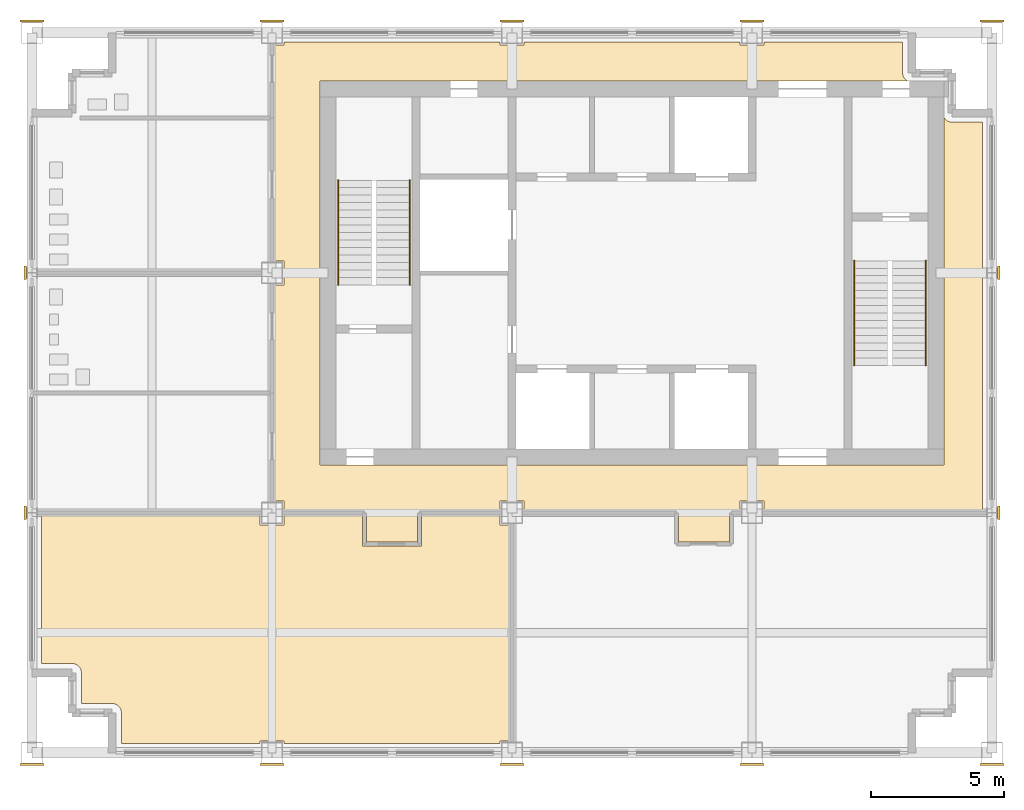
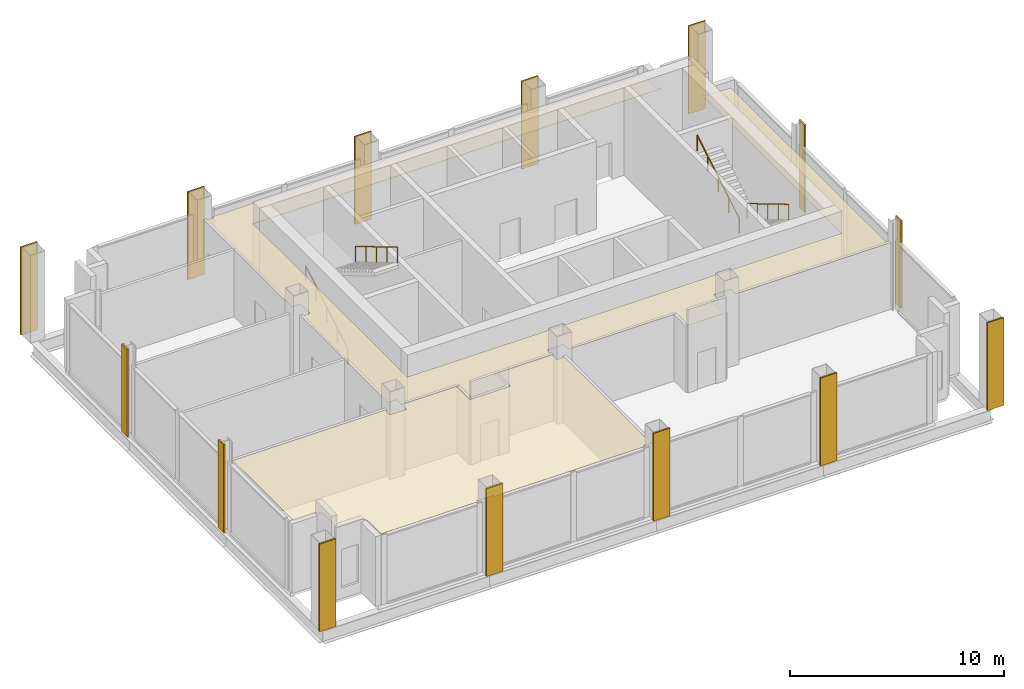
# One storey, part 6 of 7: 16 coverings, 4 railings.
"""IFC4 building model written with IfcOpenShell, lengths in metres."""

import ifcopenshell
import ifcopenshell.guid

model = None  # the IFC model being written
_history = None  # IfcOwnerHistory: only IFC2X3 demands one
_inside = {}  # id of a spatial element -> (the spatial element, [elements in it])
_under = {}  # id of a project, library or spatial element -> (it, [spatial elements below it])
_declared = {}  # id of a project -> (the project, [libraries it declares])
_typed = {}  # id of a type object -> (the type object, [elements of that type])
_made_of = {}  # id of a material, layer set ... -> (it, [elements and type objects made of it])


def new_model(schema):
    """Start an empty IFC model of exactly this schema.

    Asked for "IFC4X3", IfcOpenShell would pick the latest addendum, in which some entities
    have other attributes; the version numbers below select the first issue.
    IFC2X3 requires an IfcOwnerHistory on every rooted entity: one is made here for all.
    """
    global model, _history
    if schema == "IFC4X3":
        model = ifcopenshell.file(schema_version=(4, 3, 0, 0))
    else:
        model = ifcopenshell.file(schema=schema)
    _inside.clear()
    _under.clear()
    _declared.clear()
    _typed.clear()
    _made_of.clear()
    _history = None
    if model.schema == "IFC2X3":
        org = make("IfcOrganization", Name="unknown")
        user = make(
            "IfcPersonAndOrganization",
            ThePerson=make("IfcPerson", FamilyName="unknown"),
            TheOrganization=org,
        )
        app = make(
            "IfcApplication",
            ApplicationDeveloper=org,
            Version="unknown",
            ApplicationFullName="unknown",
            ApplicationIdentifier="unknown",
        )
        _history = make(
            "IfcOwnerHistory",
            OwningUser=user,
            OwningApplication=app,
            ChangeAction="ADDED",
            CreationDate=0,
        )
    return model


def make(cls, **values):
    """One entity of the class cls with the attributes given. An attribute that is None is left unset."""
    return model.create_entity(
        cls, **{name: value for name, value in values.items() if value is not None}
    )


def rooted(cls, **values):
    """An entity with a GlobalId (a new one), such as an element, a storey or a relation."""
    return make(cls, GlobalId=ifcopenshell.guid.new(), OwnerHistory=_history, **values)


def si_unit(unit_type, name, prefix=None):
    """IfcSIUnit, for example si_unit("LENGTHUNIT", "METRE", prefix="MILLI")."""
    return make("IfcSIUnit", UnitType=unit_type, Prefix=prefix, Name=name)


def assignment(units):
    """IfcUnitAssignment: the units of a project."""
    return None if units is None else make("IfcUnitAssignment", Units=units)


def point(xyz):
    """IfcCartesianPoint."""
    return None if xyz is None else make("IfcCartesianPoint", Coordinates=xyz)


def direction(xyz):
    """IfcDirection."""
    return None if xyz is None else make("IfcDirection", DirectionRatios=xyz)


def frame(location, z_axis=None, x_axis=None):
    """IfcAxis2Placement3D, a coordinate frame: its origin and axes. An axis left out is left unset."""
    return make(
        "IfcAxis2Placement3D",
        Location=point(location),
        Axis=direction(z_axis),
        RefDirection=direction(x_axis),
    )


def frame_2d(location, x_axis=None):
    """IfcAxis2Placement2D, a coordinate frame in the plane: its origin and x axis."""
    return make(
        "IfcAxis2Placement2D", Location=point(location), RefDirection=direction(x_axis)
    )


def origin():
    """The frame at (0, 0, 0) with its axes left unset."""
    return frame((0.0, 0.0, 0.0))


def origin_2d():
    """The frame at (0, 0) in the plane with its x axis left unset."""
    return frame_2d((0.0, 0.0))


def place(relative_to, where):
    """IfcLocalPlacement: puts the frame where relative to a parent placement (None: the world)."""
    return make(
        "IfcLocalPlacement", PlacementRelTo=relative_to, RelativePlacement=where
    )


def context(
    kind, dimensions, precision=None, world=None, true_north=None, identifier=None
):
    """IfcGeometricRepresentationContext, for example the 3D "Model" context."""
    return make(
        "IfcGeometricRepresentationContext",
        ContextIdentifier=identifier,
        ContextType=kind,
        CoordinateSpaceDimension=dimensions,
        Precision=precision,
        WorldCoordinateSystem=world,
        TrueNorth=true_north,
    )


def subcontext(parent, identifier, kind, view, scale=None):
    """IfcGeometricRepresentationSubContext, for example "Body" below "Model"."""
    return make(
        "IfcGeometricRepresentationSubContext",
        ContextIdentifier=identifier,
        ContextType=kind,
        ParentContext=parent,
        TargetScale=scale,
        TargetView=view,
    )


def project(units=None, contexts=None):
    """IfcProject with its units and contexts."""
    return rooted(
        "IfcProject",
        Name="project",
        RepresentationContexts=contexts,
        UnitsInContext=assignment(units),
    )


def spatial(cls, under=None, at=None, **own):
    """A site, building, storey or space (cls), placed at a placement, below another one or the project."""
    s = rooted(cls, ObjectPlacement=at, **own)
    if under is not None:
        _under.setdefault(under.id(), (under, []))[1].append(s)
    return s


def polyline(points):
    """IfcPolyline through the points."""
    return make("IfcPolyline", Points=[point(p) for p in points])


def profile(cls, at=None, kind="AREA", **sizes):
    """A parametric profile (cls). Its sizes go by their IFC names, for example OverallWidth=200.0."""
    return make(cls, ProfileType=kind, Position=at, **sizes)


def rectangle(**sizes):
    """IfcRectangleProfileDef."""
    return profile("IfcRectangleProfileDef", **sizes)


def circle(**sizes):
    """IfcCircleProfileDef."""
    return profile("IfcCircleProfileDef", **sizes)


def outline(outer, holes=None, kind="AREA"):
    """IfcArbitraryClosedProfileDef: a profile drawn as a closed curve; with holes, ...WithVoids."""
    if holes is None:
        return make("IfcArbitraryClosedProfileDef", ProfileType=kind, OuterCurve=outer)
    return make(
        "IfcArbitraryProfileDefWithVoids",
        ProfileType=kind,
        OuterCurve=outer,
        InnerCurves=holes,
    )


def extrude(swept, where, along, depth):
    """IfcExtrudedAreaSolid: the profile swept, set in the frame where, extruded along a direction by depth."""
    return make(
        "IfcExtrudedAreaSolid",
        SweptArea=swept,
        Position=where,
        ExtrudedDirection=direction(along),
        Depth=depth,
    )


def shape(context_of_items, identifier, shape_type, items):
    """IfcShapeRepresentation: the items that make up one representation, for example the "Body"."""
    return make(
        "IfcShapeRepresentation",
        ContextOfItems=context_of_items,
        RepresentationIdentifier=identifier,
        RepresentationType=shape_type,
        Items=items,
    )


def material(Name=None, Category=None):
    """IfcMaterial."""
    return make("IfcMaterial", Name=Name, Category=Category)


def layer(
    of_material, thickness, ventilated=None, Name=None, Category=None, Priority=None
):
    """IfcMaterialLayer: one layer of a wall or slab, of a material (None: an air gap)."""
    return make(
        "IfcMaterialLayer",
        Material=of_material,
        LayerThickness=thickness,
        IsVentilated=ventilated,
        Name=Name,
        Category=Category,
        Priority=Priority,
    )


def layer_set(layers, Name=None):
    """IfcMaterialLayerSet."""
    return make("IfcMaterialLayerSet", MaterialLayers=layers, LayerSetName=Name)


def made_of(thing, what):
    """Note that an element or type object is made of a material, layer set ...; save() writes the relation."""
    if what is not None:
        _made_of.setdefault(what.id(), (what, []))[1].append(thing)
    return thing


def type_object(cls, material=None, **own):
    """A type object (cls), such as IfcWallType, which elements share."""
    return made_of(rooted(cls, **own), material)


def element(
    cls,
    number,
    at=None,
    inside=None,
    cuts=None,
    type_object=None,
    material=None,
    context=None,
    identifier="Body",
    shape_type=None,
    held_by="IfcProductDefinitionShape",
    body=None,
    shapes=None,
    **own,
):
    """One element of the class cls, such as IfcWall. Its Tag is "e" and its number.

    at: its placement. inside: the storey or other place that contains it. cuts: it is an
    opening in that element (IfcRelVoidsElement). A single representation is given by context,
    identifier, shape_type and body (its items); several are given by shapes. held_by: the class
    of the entity that holds the representations. save() writes the other relations.
    """
    e = rooted(cls, Tag="e%d" % number, ObjectPlacement=at, **own)
    if body is not None:
        shapes = [shape(context, identifier, shape_type, body)]
    if shapes is not None:
        e.Representation = make(held_by, Representations=shapes)
    if inside is not None:
        _inside.setdefault(inside.id(), (inside, []))[1].append(e)
    if cuts is not None:
        rooted(
            "IfcRelVoidsElement", RelatingBuildingElement=cuts, RelatedOpeningElement=e
        )
    if type_object is not None:
        _typed.setdefault(type_object.id(), (type_object, []))[1].append(e)
    return made_of(e, material)


def aggregate(whole, parts):
    """IfcRelAggregates: a whole, such as a stair, and the parts it consists of."""
    return rooted("IfcRelAggregates", RelatingObject=whole, RelatedObjects=parts)


def save(model, path):
    """Write the relations noted so far, then the file.

    IfcRelAggregates (storeys below a building ...), IfcRelContainedInSpatialStructure (elements
    in a storey), IfcRelDefinesByType, IfcRelAssociatesMaterial and IfcRelDeclares: one each for
    every whole, place, type object, material and project.
    """
    for whole, parts in _under.values():
        aggregate(whole, parts)
    for where, things in _inside.values():
        rooted(
            "IfcRelContainedInSpatialStructure",
            RelatedElements=things,
            RelatingStructure=where,
        )
    for kind, things in _typed.values():
        rooted("IfcRelDefinesByType", RelatedObjects=things, RelatingType=kind)
    for what, things in _made_of.values():
        rooted("IfcRelAssociatesMaterial", RelatedObjects=things, RelatingMaterial=what)
    for by, libraries in _declared.values():
        rooted("IfcRelDeclares", RelatingContext=by, RelatedDefinitions=libraries)
    model.write(path)


model = new_model("IFC4")

# Units and contexts
model_context = context("Model", 3, precision=1e-05, world=origin(), true_north=direction((0.0, 1.0)))
body_context = subcontext(model_context, "Body", "Model", "MODEL_VIEW")
ifc_project = project(units=[si_unit("LENGTHUNIT", "METRE"), si_unit("AREAUNIT", "SQUARE_METRE"), si_unit("VOLUMEUNIT", "CUBIC_METRE"), si_unit("PLANEANGLEUNIT", "RADIAN"), si_unit("MASSUNIT", "GRAM", prefix="KILO")], contexts=[model_context])

# Site, building, storey
site_placement = place(None, origin())
site = spatial("IfcSite", under=ifc_project, at=site_placement, CompositionType="ELEMENT")
building_placement = place(site_placement, origin())
building = spatial("IfcBuilding", under=site, at=building_placement, Name="Loomwork Tower", CompositionType="ELEMENT")
storey_placement = place(building_placement, frame((0.0, 0.0, 269.800048828125)))
storey = spatial("IfcBuildingStorey", under=building, at=storey_placement, Name="L74", CompositionType="ELEMENT", Elevation=269.800048828125)

# Railings
ifc_material_1 = material(Name="Stainless steel handrail", Category="steel")
railing_type = type_object("IfcRailingType", Name="Handrail 900", PredefinedType="HANDRAIL", material=ifc_material_1)
railing_1_placement = place(storey_placement, frame((11.485107421875, 17.550048828125, 0.166748046875)))
element("IfcRailing", 1, at=railing_1_placement, inside=storey, type_object=railing_type, Name="Stair A handrail flight 1 L74", PredefinedType="HANDRAIL", context=body_context, shape_type="SweptSolid", body=[
    extrude(circle(Radius=0.02392578125, at=origin_2d()), frame((0.0, 0.0, 0.8759765625), z_axis=(0.0, 0.859296244711, 0.511478214419), x_axis=(-1.0, 0.0, 0.0)), (0.0, 0.0, 1.0), 4.561767578125),
    extrude(circle(Radius=0.02099609375, at=origin_2d()), origin(), (0.0, 0.0, 1.0), 0.851806640625),
    extrude(circle(Radius=0.02099609375, at=origin_2d()), frame((0.0, 0.97998046875, 0.583251953125)), (0.0, 0.0, 1.0), 0.851806640625),
    extrude(circle(Radius=0.02099609375, at=origin_2d()), frame((0.0, 1.9599609375, 1.16650390625)), (0.0, 0.0, 1.0), 0.851806640625),
    extrude(circle(Radius=0.02099609375, at=origin_2d()), frame((0.0, 2.93994140625, 1.75)), (0.0, 0.0, 1.0), 0.851806640625),
    extrude(circle(Radius=0.02099609375, at=origin_2d()), frame((0.0, 3.919921875, 2.333251953125)), (0.0, 0.0, 1.0), 0.851806640625),
])
for number, where, name in (
    (2, (14.1650390625, 21.469970703125, 2.666748046875), "Stair A handrail flight 2 L74"),
    (3, (33.514892578125, 18.449951171875, 0.166748046875), "Stair B handrail flight 1 L74"),
):
    element("IfcRailing", number, at=place(storey_placement, frame(where)), inside=storey, type_object=railing_type, Name=name, PredefinedType="HANDRAIL", context=body_context, shape_type="SweptSolid", body=[
        extrude(circle(Radius=0.02392578125, at=origin_2d()), frame((0.0, 0.0, 0.8759765625), z_axis=(0.0, -0.859296244711, 0.511478214419), x_axis=(1.0, 0.0, 0.0)), (0.0, 0.0, 1.0), 4.561767578125),
        extrude(circle(Radius=0.02099609375, at=origin_2d()), origin(), (0.0, 0.0, 1.0), 0.851806640625),
        extrude(circle(Radius=0.02099609375, at=origin_2d()), frame((0.0, -0.97998046875, 0.583251953125)), (0.0, 0.0, 1.0), 0.851806640625),
        extrude(circle(Radius=0.02099609375, at=origin_2d()), frame((0.0, -1.9599609375, 1.16650390625)), (0.0, 0.0, 1.0), 0.851806640625),
        extrude(circle(Radius=0.02099609375, at=origin_2d()), frame((0.0, -2.93994140625, 1.75)), (0.0, 0.0, 1.0), 0.851806640625),
        extrude(circle(Radius=0.02099609375, at=origin_2d()), frame((0.0, -3.919921875, 2.333251953125)), (0.0, 0.0, 1.0), 0.851806640625),
    ])
railing_2_placement = place(storey_placement, frame((30.8349609375, 14.530029296875, 2.666748046875)))
element("IfcRailing", 4, at=railing_2_placement, inside=storey, type_object=railing_type, Name="Stair B handrail flight 2 L74", PredefinedType="HANDRAIL", context=body_context, shape_type="SweptSolid", body=[
    extrude(circle(Radius=0.02392578125, at=origin_2d()), frame((0.0, 0.0, 0.8759765625), z_axis=(0.0, 0.859296244711, 0.511478214419), x_axis=(-1.0, 0.0, 0.0)), (0.0, 0.0, 1.0), 4.561767578125),
    extrude(circle(Radius=0.02099609375, at=origin_2d()), origin(), (0.0, 0.0, 1.0), 0.851806640625),
    extrude(circle(Radius=0.02099609375, at=origin_2d()), frame((0.0, 0.97998046875, 0.583251953125)), (0.0, 0.0, 1.0), 0.851806640625),
    extrude(circle(Radius=0.02099609375, at=origin_2d()), frame((0.0, 1.9599609375, 1.16650390625)), (0.0, 0.0, 1.0), 0.851806640625),
    extrude(circle(Radius=0.02099609375, at=origin_2d()), frame((0.0, 2.93994140625, 1.75)), (0.0, 0.0, 1.0), 0.851806640625),
    extrude(circle(Radius=0.02099609375, at=origin_2d()), frame((0.0, 3.919921875, 2.333251953125)), (0.0, 0.0, 1.0), 0.851806640625),
])

# Coverings
ifc_material_2 = material(Name="Limestone", Category="masonry")
ifc_layer_1 = layer(ifc_material_2, 0.080078125)
ifc_layer_set_1 = layer_set([ifc_layer_1], Name="Limestone pier facing 80")
covering_type_1 = type_object("IfcCoveringType", Name="Limestone pier facing 80", PredefinedType="CLADDING", material=ifc_layer_set_1)
covering_1_placement = place(storey_placement, frame((0.0, -0.43994140625, 0.0), z_axis=(0.0, 0.0, 1.0), x_axis=(1.0, 0.0, 0.0)))
element("IfcCovering", 5, at=covering_1_placement, inside=storey, type_object=covering_type_1, Name="Pier facing D/2 L74", PredefinedType="CLADDING", context=body_context, shape_type="SweptSolid", body=[
    extrude(rectangle(XDim=0.89990234375, YDim=0.080078125, at=origin_2d()), origin(), (0.0, 0.0, 1.0), 5.0),
])
for number, where, z_axis, x_axis, name in (
    (6, (-0.252197265625, 9.0, 0.0), (0.0, 0.0, 1.0), (1.0, 0.0, 0.0), "Pier facing E/2 L74"),
    (7, (-0.252197265625, 18.0, 0.0), (0.0, 0.0, 1.0), (1.0, 0.0, 0.0), "Pier facing F/2 L74"),
):
    element("IfcCovering", number, at=place(storey_placement, frame(where, z_axis=z_axis, x_axis=x_axis)), inside=storey, type_object=covering_type_1, Name=name, PredefinedType="CLADDING", context=body_context, shape_type="SweptSolid", body=[
        extrude(rectangle(XDim=0.080078125, YDim=0.5087890625, at=origin_2d()), origin(), (0.0, 0.0, 1.0), 5.0),
    ])
for number, where, z_axis, x_axis, name in (
    (8, (0.0, 27.43994140625, 0.0), (0.0, 0.0, 1.0), (1.0, 0.0, 0.0), "Pier facing G/2 L74"),
    (9, (9.0, -0.43994140625, 0.0), (0.0, 0.0, 1.0), (1.0, 0.0, 0.0), "Pier facing D/3 L74"),
    (10, (9.0, 27.43994140625, 0.0), (0.0, 0.0, 1.0), (1.0, 0.0, 0.0), "Pier facing G/3 L74"),
    (11, (18.0, -0.43994140625, 0.0), (0.0, 0.0, 1.0), (1.0, 0.0, 0.0), "Pier facing D/4 L74"),
    (12, (18.0, 27.43994140625, 0.0), (0.0, 0.0, 1.0), (1.0, 0.0, 0.0), "Pier facing G/4 L74"),
    (13, (27.0, -0.43994140625, 0.0), (0.0, 0.0, 1.0), (1.0, 0.0, 0.0), "Pier facing D/5 L74"),
    (14, (27.0, 27.43994140625, 0.0), (0.0, 0.0, 1.0), (1.0, 0.0, 0.0), "Pier facing G/5 L74"),
    (15, (36.0, -0.43994140625, 0.0), (0.0, 0.0, 1.0), (1.0, 0.0, 0.0), "Pier facing D/6 L74"),
):
    element("IfcCovering", number, at=place(storey_placement, frame(where, z_axis=z_axis, x_axis=x_axis)), inside=storey, type_object=covering_type_1, Name=name, PredefinedType="CLADDING", context=body_context, shape_type="SweptSolid", body=[
        extrude(rectangle(XDim=0.89990234375, YDim=0.080078125, at=origin_2d()), origin(), (0.0, 0.0, 1.0), 5.0),
    ])
for number, where, z_axis, x_axis, name in (
    (16, (36.252197265625, 9.0, 0.0), (0.0, 0.0, 1.0), (1.0, 0.0, 0.0), "Pier facing E/6 L74"),
    (17, (36.252197265625, 18.0, 0.0), (0.0, 0.0, 1.0), (1.0, 0.0, 0.0), "Pier facing F/6 L74"),
):
    element("IfcCovering", number, at=place(storey_placement, frame(where, z_axis=z_axis, x_axis=x_axis)), inside=storey, type_object=covering_type_1, Name=name, PredefinedType="CLADDING", context=body_context, shape_type="SweptSolid", body=[
        extrude(rectangle(XDim=0.080078125, YDim=0.5087890625, at=origin_2d()), origin(), (0.0, 0.0, 1.0), 5.0),
    ])
covering_2_placement = place(storey_placement, frame((36.0, 27.43994140625, 0.0), z_axis=(0.0, 0.0, 1.0), x_axis=(1.0, 0.0, 0.0)))
element("IfcCovering", 18, at=covering_2_placement, inside=storey, type_object=covering_type_1, Name="Pier facing G/6 L74", PredefinedType="CLADDING", context=body_context, shape_type="SweptSolid", body=[
    extrude(rectangle(XDim=0.89990234375, YDim=0.080078125, at=origin_2d()), origin(), (0.0, 0.0, 1.0), 5.0),
])
ifc_material_3 = material(Name="Mineral fibre acoustic tile on suspension grid")
ifc_layer_2 = layer(ifc_material_3, 0.02490234375)
ifc_layer_set_2 = layer_set([ifc_layer_2], Name="Suspended acoustic ceiling")
covering_type_2 = type_object("IfcCoveringType", Name="Suspended acoustic ceiling", PredefinedType="CEILING", material=ifc_layer_set_2)
covering_3_placement = place(storey_placement, frame((0.0, 0.0, 3.724853515625)))
element("IfcCovering", 19, at=covering_3_placement, inside=storey, type_object=covering_type_2, Name="Ceiling Sky restaurant L74", PredefinedType="CEILING", context=body_context, shape_type="SweptSolid", body=[
    extrude(outline(polyline([(3.35009765625, 1.5), (3.348388671875, 1.5341796875), (3.34326171875, 1.568359375), (3.3349609375, 1.6015625), (3.323486328125, 1.6337890625), (3.30859375, 1.6650390625), (3.291015625, 1.6943359375), (3.2705078125, 1.721923828125), (3.24755859375, 1.74755859375), (3.221923828125, 1.7705078125), (3.1943359375, 1.791015625), (3.1650390625, 1.80859375), (3.1337890625, 1.823486328125), (3.1015625, 1.8349609375), (3.068359375, 1.84326171875), (3.0341796875, 1.848388671875), (3.0, 1.85009765625), (1.85009765625, 1.85009765625), (1.85009765625, 3.0), (1.848388671875, 3.0341796875), (1.84326171875, 3.068359375), (1.8349609375, 3.1015625), (1.823486328125, 3.1337890625), (1.80859375, 3.1650390625), (1.791015625, 3.1943359375), (1.7705078125, 3.221923828125), (1.74755859375, 3.24755859375), (1.721923828125, 3.2705078125), (1.6943359375, 3.291015625), (1.6650390625, 3.30859375), (1.6337890625, 3.323486328125), (1.6015625, 3.3349609375), (1.568359375, 3.34326171875), (1.5341796875, 3.348388671875), (1.5, 3.35009765625), (0.35009765625, 3.35009765625), (0.35009765625, 9.0), (8.550048828125, 9.0), (8.550048828125, 8.550048828125), (9.449951171875, 8.550048828125), (9.449951171875, 9.0), (12.39990234375, 9.0), (12.39990234375, 7.75), (14.60009765625, 7.75), (14.60009765625, 9.0), (17.550048828125, 9.0), (17.550048828125, 8.550048828125), (18.0, 8.550048828125), (18.0, 0.449951171875), (17.550048828125, 0.449951171875), (17.550048828125, 0.35009765625), (9.449951171875, 0.35009765625), (9.449951171875, 0.449951171875), (8.550048828125, 0.449951171875), (8.550048828125, 0.35009765625), (3.35009765625, 0.35009765625), (3.35009765625, 1.5)])), origin(), (0.0, 0.0, 1.0), 0.025146484375),
])
covering_4_placement = place(storey_placement, frame((0.0, 0.0, 3.724853515625)))
element("IfcCovering", 20, at=covering_4_placement, inside=storey, type_object=covering_type_2, Name="Ceiling Restaurant corridor L74", PredefinedType="CEILING", context=body_context, shape_type="SweptSolid", body=[
    extrude(outline(polyline([(32.65673828125, 25.431640625), (32.6650390625, 25.3984375), (32.676513671875, 25.3662109375), (32.69140625, 25.3349609375), (32.708984375, 25.3056640625), (32.7294921875, 25.278076171875), (32.75244140625, 25.25244140625), (32.778076171875, 25.2294921875), (32.8056640625, 25.208984375), (32.820556640625, 25.199951171875), (10.800048828125, 25.199951171875), (10.800048828125, 10.800048828125), (34.199951171875, 10.800048828125), (34.199951171875, 23.820556640625), (34.208984375, 23.8056640625), (34.2294921875, 23.778076171875), (34.25244140625, 23.75244140625), (34.278076171875, 23.7294921875), (34.3056640625, 23.708984375), (34.3349609375, 23.69140625), (34.3662109375, 23.676513671875), (34.3984375, 23.6650390625), (34.431640625, 23.65673828125), (34.4658203125, 23.651611328125), (34.5, 23.64990234375), (35.64990234375, 23.64990234375), (35.64990234375, 9.0), (27.449951171875, 9.0), (27.449951171875, 9.449951171875), (26.550048828125, 9.449951171875), (26.550048828125, 9.0), (26.14990234375, 9.0), (26.14990234375, 7.89990234375), (24.25, 7.89990234375), (24.25, 9.0), (18.449951171875, 9.0), (18.449951171875, 9.449951171875), (17.550048828125, 9.449951171875), (17.550048828125, 9.0), (14.449951171875, 9.0), (14.449951171875, 7.89990234375), (12.550048828125, 7.89990234375), (12.550048828125, 9.0), (9.449951171875, 9.0), (9.449951171875, 9.449951171875), (9.0, 9.449951171875), (9.0, 13.5), (9.0, 17.550048828125), (9.449951171875, 17.550048828125), (9.449951171875, 18.449951171875), (9.0, 18.449951171875), (9.0, 23.81005859375), (9.0, 26.550048828125), (9.449951171875, 26.550048828125), (9.449951171875, 26.64990234375), (17.550048828125, 26.64990234375), (17.550048828125, 26.550048828125), (18.449951171875, 26.550048828125), (18.449951171875, 26.64990234375), (26.550048828125, 26.64990234375), (26.550048828125, 26.550048828125), (27.449951171875, 26.550048828125), (27.449951171875, 26.64990234375), (32.64990234375, 26.64990234375), (32.64990234375, 25.5), (32.651611328125, 25.4658203125), (32.65673828125, 25.431640625)])), origin(), (0.0, 0.0, 1.0), 0.025146484375),
])

save(model, "model.ifc")
